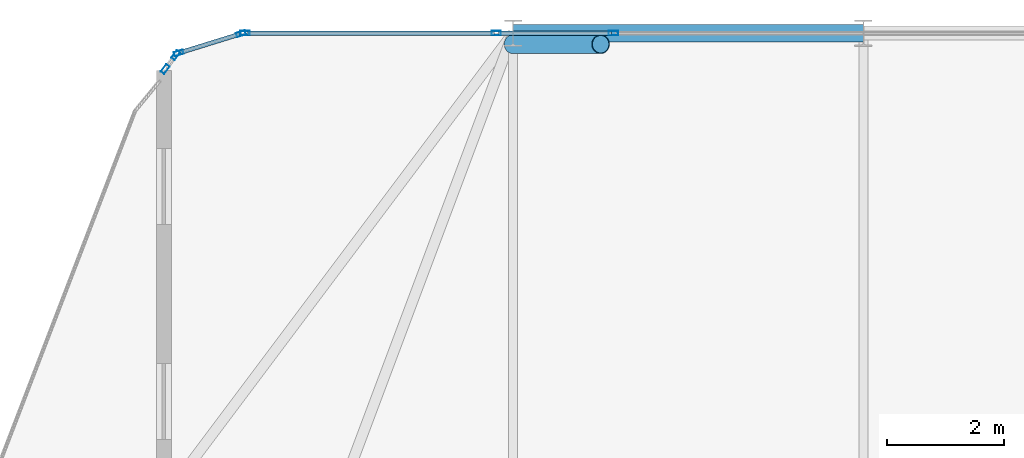
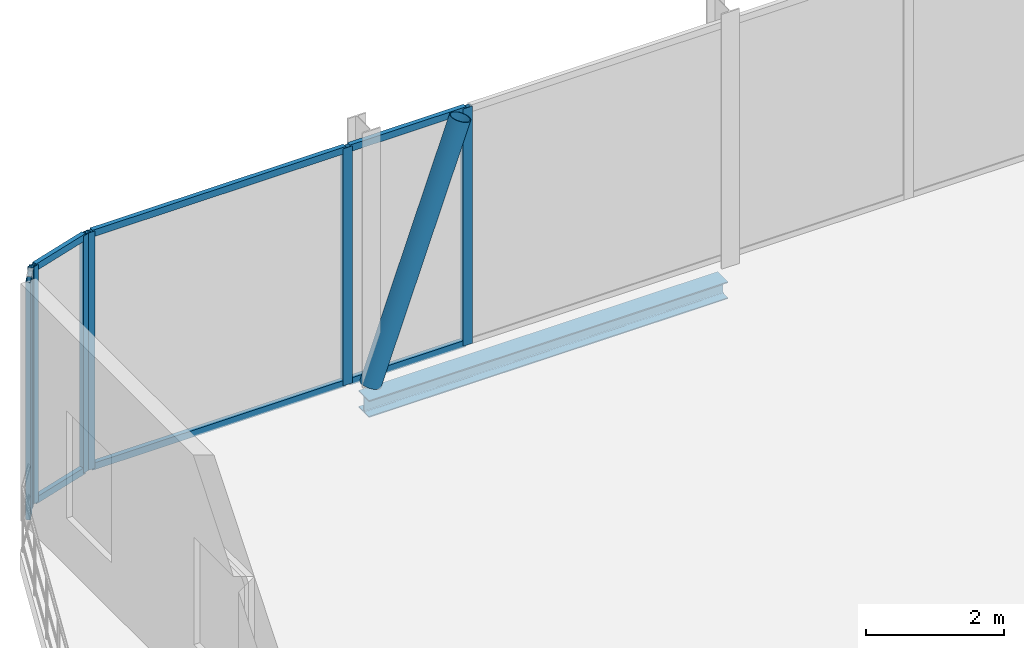
# One storey, part 20 of 31: 14 members, 1 beam, 4 elements without a shape of their own.
"""IFC4 building model written with IfcOpenShell, lengths in metres."""

from ifc_helpers import new_model, si_unit, direction, frame, origin, origin_2d, place, context, subcontext, project, spatial, hollow_rectangle, hollow_circle, i_section, extrude, material, layer, layer_set, material_profile, profile_set, type_object, element, aggregate, save


model = new_model("IFC4")

# Units and contexts
model_context = context("Model", 3, precision=1e-05, world=origin(), true_north=direction((0.0, 1.0)))
body_context = subcontext(model_context, "Body", "Model", "MODEL_VIEW")
ifc_project = project(units=[si_unit("LENGTHUNIT", "METRE"), si_unit("AREAUNIT", "SQUARE_METRE"), si_unit("VOLUMEUNIT", "CUBIC_METRE"), si_unit("PLANEANGLEUNIT", "RADIAN"), si_unit("MASSUNIT", "GRAM", prefix="KILO")], contexts=[model_context])

# Site, building, storey
site_placement = place(None, origin())
site = spatial("IfcSite", under=ifc_project, at=site_placement, CompositionType="ELEMENT")
building_placement = place(site_placement, origin())
building = spatial("IfcBuilding", under=site, at=building_placement, Name="Keshet Zoharim Tower", CompositionType="ELEMENT")
storey_placement = place(building_placement, frame((0.0, 0.0, 183.89990234375)))
storey = spatial("IfcBuildingStorey", under=building, at=storey_placement, Name="L45", CompositionType="ELEMENT", Elevation=183.89990234375)

# Beam
ifc_material_1 = material(Name="Steel S355", Category="steel")
ifc_material_profile_1 = material_profile(ifc_material_1, i_section(OverallWidth=0.300048828125, OverallDepth=0.300048828125, WebThickness=0.010986328125, FlangeThickness=0.01904296875, FilletRadius=0.027099609375, at=origin_2d()), Name="HEB300")
ifc_profile_set_1 = profile_set([ifc_material_profile_1], Name="Steel S355")
beam_type = type_object("IfcBeamType", Name="BM-PRI-HB300", PredefinedType="BEAM", material=ifc_profile_set_1)
beam_placement = place(storey_placement, frame((21.0, 53.89990234375, -0.469970703125), z_axis=(1.0, 0.0, 0.0), x_axis=(0.0, 1.0, 0.0)))
element("IfcBeam", 1, at=beam_placement, inside=storey, type_object=beam_type, Name="L45 Primary Girder X-019", PredefinedType="BEAM", context=body_context, shape_type="SweptSolid", body=[
    extrude(i_section(OverallWidth=0.300048828125, OverallDepth=0.300048828125, WebThickness=0.010986328125, FlangeThickness=0.01904296875, FilletRadius=0.027099609375, at=origin_2d()), origin(), (0.0, 0.0, 1.0), 6.0),
])

# Curtain wall, members
ifc_material_2 = material(Name="Aluminium 6063-T6", Category="aluminium")
ifc_layer = layer(ifc_material_2, 0.139892578125)
ifc_layer_set = layer_set([ifc_layer], Name="Aluminium 6063-T6")
curtain_wall_type = type_object("IfcCurtainWallType", Name="CW-SYS-05", PredefinedType="NOTDEFINED", material=ifc_layer_set)
curtain_wall_1_placement = place(storey_placement, origin())
curtain_wall_1 = element("IfcCurtainWall", 2, at=curtain_wall_1_placement, inside=storey, type_object=curtain_wall_type, Name="L45 Unitised Curtain Wall 01", PredefinedType="NOTDEFINED")
ifc_material_profile_2 = material_profile(ifc_material_2, hollow_rectangle(XDim=0.074951171875, YDim=0.159912109375, WallThickness=0.00390625, at=origin_2d()), Name="MUL-75x160")
ifc_profile_set_2 = profile_set([ifc_material_profile_2], Name="Aluminium 6063-T6")
member_type_1 = type_object("IfcMemberType", Name="CWM-M15", PredefinedType="MULLION", material=ifc_profile_set_2)
member_1_placement = place(storey_placement, frame((16.408935546875, 53.89990234375, 0.0), z_axis=(0.0, 0.0, 1.0), x_axis=(0.0, 1.0, 0.0)))
member_1 = element("IfcMember", 3, at=member_1_placement, type_object=member_type_1, Name="CW-05 mullion 1", PredefinedType="MULLION", context=body_context, shape_type="SweptSolid", body=[
    extrude(hollow_rectangle(XDim=0.074951171875, YDim=0.159912109375, WallThickness=0.00390625, at=origin_2d()), origin(), (0.0, 0.0, 1.0), 4.190185546875),
])
member_2_placement = place(storey_placement, frame((20.71240234375, 53.89990234375, 0.0), z_axis=(0.0, 0.0, 1.0), x_axis=(0.0, 1.0, 0.0)))
member_2 = element("IfcMember", 4, at=member_2_placement, type_object=member_type_1, Name="CW-05 mullion 2", PredefinedType="MULLION", context=body_context, shape_type="SweptSolid", body=[
    extrude(hollow_rectangle(XDim=0.074951171875, YDim=0.159912109375, WallThickness=0.00390625, at=origin_2d()), origin(), (0.0, 0.0, 1.0), 4.190185546875),
])

# Curtain wall, member
curtain_wall_2_placement = place(storey_placement, origin())
curtain_wall_2 = element("IfcCurtainWall", 5, at=curtain_wall_2_placement, inside=storey, type_object=curtain_wall_type, Name="L45 Unitised Curtain Wall 01 Part 2", PredefinedType="NOTDEFINED")
member_3_placement = place(storey_placement, frame((22.717529296875, 53.89990234375, 0.0), z_axis=(0.0, 0.0, 1.0), x_axis=(0.0, 1.0, 0.0)))
member_3 = element("IfcMember", 6, at=member_3_placement, type_object=member_type_1, Name="CW-05 mullion 2", PredefinedType="MULLION", context=body_context, shape_type="SweptSolid", body=[
    extrude(hollow_rectangle(XDim=0.074951171875, YDim=0.159912109375, WallThickness=0.00390625, at=origin_2d()), origin(), (0.0, 0.0, 1.0), 4.190185546875),
])

# Curtain wall, members
curtain_wall_3_placement = place(storey_placement, origin())
curtain_wall_3 = element("IfcCurtainWall", 7, at=curtain_wall_3_placement, inside=storey, type_object=curtain_wall_type, Name="L45 Unitised Curtain Wall 19", PredefinedType="NOTDEFINED")
member_4_placement = place(storey_placement, frame((15.041015625, 53.283935546875, 0.0), z_axis=(0.0, 0.0, 1.0), x_axis=(-0.798362158894, 0.602177601083, 0.0)))
member_4 = element("IfcMember", 8, at=member_4_placement, type_object=member_type_1, Name="CW-05 mullion 1", PredefinedType="MULLION", context=body_context, shape_type="SweptSolid", body=[
    extrude(hollow_rectangle(XDim=0.074951171875, YDim=0.159912109375, WallThickness=0.00390625, at=origin_2d()), origin(), (0.0, 0.0, 1.0), 4.190185546875),
])
member_5_placement = place(storey_placement, frame((15.219970703125, 53.52099609375, 0.0), z_axis=(0.0, 0.0, 1.0), x_axis=(-0.798362158894, 0.602177601083, 0.0)))
member_5 = element("IfcMember", 9, at=member_5_placement, type_object=member_type_1, Name="CW-05 mullion 2", PredefinedType="MULLION", context=body_context, shape_type="SweptSolid", body=[
    extrude(hollow_rectangle(XDim=0.074951171875, YDim=0.159912109375, WallThickness=0.00390625, at=origin_2d()), origin(), (0.0, 0.0, 1.0), 4.190185546875),
])
aggregate(curtain_wall_3, [member_4, member_5])

curtain_wall_4_placement = place(storey_placement, origin())
curtain_wall_4 = element("IfcCurtainWall", 10, at=curtain_wall_4_placement, inside=storey, type_object=curtain_wall_type, Name="L45 Unitised Curtain Wall 20", PredefinedType="NOTDEFINED")
member_6_placement = place(storey_placement, frame((15.2744140625, 53.559326171875, 0.0), z_axis=(0.0, 0.0, 1.0), x_axis=(-0.295921857984, 0.955212151288, 0.0)))
member_6 = element("IfcMember", 11, at=member_6_placement, type_object=member_type_1, Name="CW-05 mullion 1", PredefinedType="MULLION", context=body_context, shape_type="SweptSolid", body=[
    extrude(hollow_rectangle(XDim=0.074951171875, YDim=0.159912109375, WallThickness=0.00390625, at=origin_2d()), origin(), (0.0, 0.0, 1.0), 4.190185546875),
])
member_7_placement = place(storey_placement, frame((16.340576171875, 53.8896484375, 0.0), z_axis=(0.0, 0.0, 1.0), x_axis=(-0.295921857984, 0.955212151288, 0.0)))
member_7 = element("IfcMember", 12, at=member_7_placement, type_object=member_type_1, Name="CW-05 mullion 2", PredefinedType="MULLION", context=body_context, shape_type="SweptSolid", body=[
    extrude(hollow_rectangle(XDim=0.074951171875, YDim=0.159912109375, WallThickness=0.00390625, at=origin_2d()), origin(), (0.0, 0.0, 1.0), 4.190185546875),
])

# Member
ifc_material_profile_3 = material_profile(ifc_material_2, hollow_rectangle(XDim=0.074951171875, YDim=0.1201171875, WallThickness=0.00390625, at=origin_2d()), Name="TRN-75x120")
ifc_profile_set_3 = profile_set([ifc_material_profile_3], Name="Aluminium 6063-T6")
member_type_2 = type_object("IfcMemberType", Name="CWT-T12", PredefinedType="USERDEFINED", material=ifc_profile_set_3)
member_8_placement = place(storey_placement, frame((16.444091796875, 53.89990234375, 0.03515625), z_axis=(1.0, 0.0, 0.0), x_axis=(0.0, 1.0, 0.0)))
member_8 = element("IfcMember", 13, at=member_8_placement, type_object=member_type_2, Name="CW-05 transom 1.1", ObjectType="TRANSOM", PredefinedType="USERDEFINED", context=body_context, shape_type="SweptSolid", body=[
    extrude(hollow_rectangle(XDim=0.074951171875, YDim=0.1201171875, WallThickness=0.00390625, at=origin_2d()), origin(), (0.0, 0.0, 1.0), 4.2333984375),
])

member_9_placement = place(storey_placement, frame((16.444091796875, 53.89990234375, 4.155029296875), z_axis=(1.0, 0.0, 0.0), x_axis=(0.0, 1.0, 0.0)))
member_9 = element("IfcMember", 14, at=member_9_placement, type_object=member_type_2, Name="CW-05 transom 1.2", ObjectType="TRANSOM", PredefinedType="USERDEFINED", context=body_context, shape_type="SweptSolid", body=[
    extrude(hollow_rectangle(XDim=0.074951171875, YDim=0.1201171875, WallThickness=0.00390625, at=origin_2d()), origin(), (0.0, 0.0, 1.0), 4.2333984375),
])

aggregate(curtain_wall_1, [member_1, member_2, member_8, member_9])

member_10_placement = place(storey_placement, frame((20.74755859375, 53.89990234375, 0.03515625), z_axis=(1.0, 0.0, 0.0), x_axis=(0.0, 1.0, 0.0)))
member_10 = element("IfcMember", 15, at=member_10_placement, type_object=member_type_2, Name="CW-05 transom 1.1", ObjectType="TRANSOM", PredefinedType="USERDEFINED", context=body_context, shape_type="SweptSolid", body=[
    extrude(hollow_rectangle(XDim=0.074951171875, YDim=0.1201171875, WallThickness=0.00390625, at=origin_2d()), origin(), (0.0, 0.0, 1.0), 1.93505859375),
])

member_11_placement = place(storey_placement, frame((20.74755859375, 53.89990234375, 4.155029296875), z_axis=(1.0, 0.0, 0.0), x_axis=(0.0, 1.0, 0.0)))
member_11 = element("IfcMember", 16, at=member_11_placement, type_object=member_type_2, Name="CW-05 transom 1.2", ObjectType="TRANSOM", PredefinedType="USERDEFINED", context=body_context, shape_type="SweptSolid", body=[
    extrude(hollow_rectangle(XDim=0.074951171875, YDim=0.1201171875, WallThickness=0.00390625, at=origin_2d()), origin(), (0.0, 0.0, 1.0), 1.93505859375),
])

aggregate(curtain_wall_2, [member_3, member_10, member_11])

member_12_placement = place(storey_placement, frame((15.307861328125, 53.56982421875, 0.03515625), z_axis=(0.955212093062, 0.295922045933, 0.0), x_axis=(-0.295922045933, 0.955212093062, 0.0)))
member_12 = element("IfcMember", 17, at=member_12_placement, type_object=member_type_2, Name="CW-05 transom 1.1", ObjectType="TRANSOM", PredefinedType="USERDEFINED", context=body_context, shape_type="SweptSolid", body=[
    extrude(hollow_rectangle(XDim=0.074951171875, YDim=0.1201171875, WallThickness=0.00390625, at=origin_2d()), origin(), (0.0, 0.0, 1.0), 1.046142578125),
])

member_13_placement = place(storey_placement, frame((15.307861328125, 53.56982421875, 4.155029296875), z_axis=(0.955212093062, 0.295922045933, 0.0), x_axis=(-0.295922045933, 0.955212093062, 0.0)))
member_13 = element("IfcMember", 18, at=member_13_placement, type_object=member_type_2, Name="CW-05 transom 1.2", ObjectType="TRANSOM", PredefinedType="USERDEFINED", context=body_context, shape_type="SweptSolid", body=[
    extrude(hollow_rectangle(XDim=0.074951171875, YDim=0.1201171875, WallThickness=0.00390625, at=origin_2d()), origin(), (0.0, 0.0, 1.0), 1.046142578125),
])

aggregate(curtain_wall_4, [member_6, member_7, member_12, member_13])

ifc_material_profile_4 = material_profile(ifc_material_1, hollow_circle(Radius=0.161865234375, WallThickness=0.012451171875, at=origin_2d()), Name="CHS323x12.5")
ifc_profile_set_4 = profile_set([ifc_material_profile_4], Name="Steel S355")
member_type_3 = type_object("IfcMemberType", Name="MB-BR-C323", PredefinedType="BRACE", material=ifc_profile_set_4)
member_14_placement = place(storey_placement, frame((21.0, 53.7099609375, 0.0), z_axis=(0.337034786684, 0.0, 0.941492194638), x_axis=(0.0, 1.0, 0.0)))
element("IfcMember", 19, at=member_14_placement, inside=storey, type_object=member_type_3, Name="L45 Perimeter Tube Brace 02", PredefinedType="BRACE", context=body_context, shape_type="SweptSolid", body=[
    extrude(hollow_circle(Radius=0.161865234375, WallThickness=0.012451171875, at=origin_2d()), origin(), (0.0, 0.0, 1.0), 4.45068359375),
])

save(model, "model.ifc")
